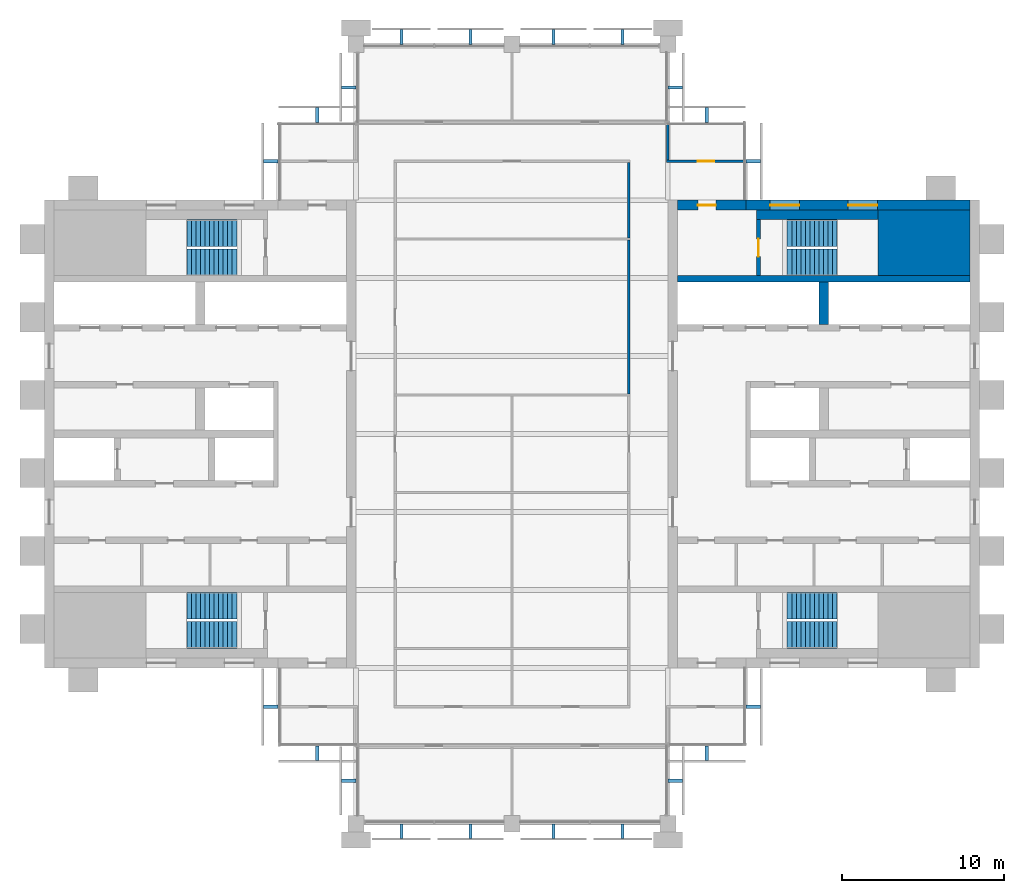
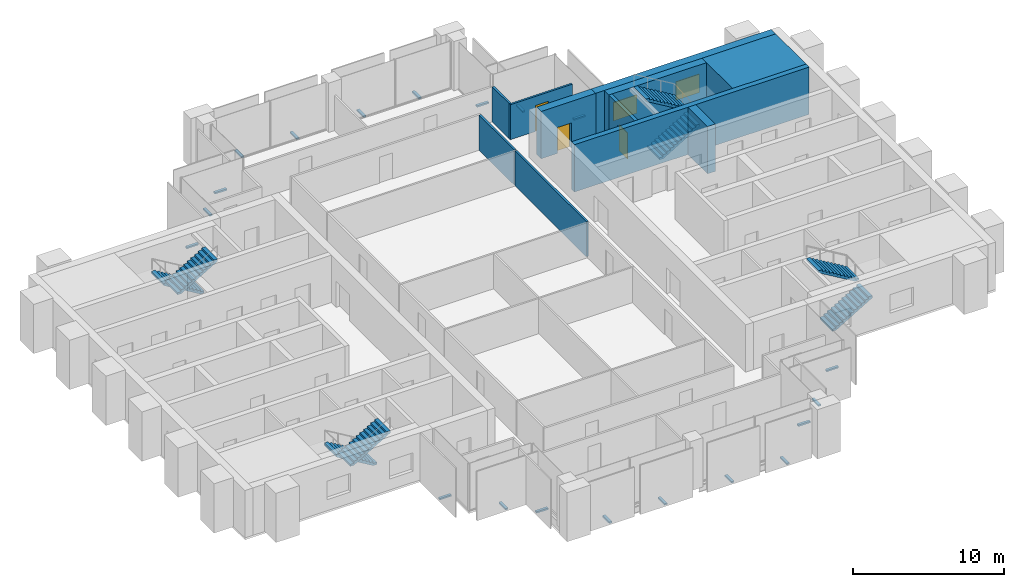
# One storey, part 11 of 12: 20 discrete accessories, 11 walls, 8 stair flights, 3 doors, 2 windows, 5 openings, 4 elements without a shape of their own.
"""IFC4 building model written with IfcOpenShell, lengths in metres."""

from ifc_helpers import new_model, si_unit, direction, frame, frame_2d, origin, origin_2d, place, context, subcontext, project, spatial, polyline, rectangle, outline, extrude, material, layer, layer_set, type_object, element, fill, aggregate, save


model = new_model("IFC4")

# Units and contexts
model_context = context("Model", 3, precision=1e-05, world=origin(), true_north=direction((0.0, 1.0)))
body_context = subcontext(model_context, "Body", "Model", "MODEL_VIEW")
ifc_project = project(units=[si_unit("LENGTHUNIT", "METRE"), si_unit("AREAUNIT", "SQUARE_METRE"), si_unit("VOLUMEUNIT", "CUBIC_METRE"), si_unit("PLANEANGLEUNIT", "RADIAN"), si_unit("MASSUNIT", "GRAM", prefix="KILO")], contexts=[model_context])

# Site, building, storey
site_placement = place(None, origin())
site = spatial("IfcSite", under=ifc_project, at=site_placement, CompositionType="ELEMENT")
building_placement = place(site_placement, origin())
building = spatial("IfcBuilding", under=site, at=building_placement, Name="Baori Bourse Tower", CompositionType="ELEMENT")
storey_placement = place(building_placement, frame((0.0, 0.0, 310.300048828125)))
storey = spatial("IfcBuildingStorey", under=building, at=storey_placement, Name="L68", CompositionType="ELEMENT", Elevation=310.300048828125)

# Wall
ifc_material_1 = material(Name="Concrete f'c 40 MPa", Category="concrete")
wall_type_1 = type_object("IfcWallType", Name="Core corner block f'c 40", PredefinedType="SHEAR", material=ifc_material_1)
wall_1_placement = place(storey_placement, frame((51.35009765625, 35.77490234375, 0.0), z_axis=(0.0, 0.0, 1.0), x_axis=(1.0, 0.0, 0.0)))
element("IfcWall", 1, at=wall_1_placement, inside=storey, type_object=wall_type_1, Name="Core wall E23", PredefinedType="SHEAR", context=body_context, shape_type="SweptSolid", body=[
    extrude(rectangle(XDim=5.64990234375, YDim=4.050048828125, at=frame_2d((2.824951171875, 0.0))), origin(), (0.0, 0.0, 1.0), 3.83984375),
])

# Wall, openings, windows
ifc_material_2 = material(Name="Concrete f'c 40 MPa", Category="concrete")
ifc_layer_1 = layer(ifc_material_2, 0.60009765625)
ifc_layer_set_1 = layer_set([ifc_layer_1], Name="Core wall 600 f'c 40")
wall_type_2 = type_object("IfcWallType", Name="Core wall 600 f'c 40", PredefinedType="SHEAR", material=ifc_layer_set_1)
wall_2_placement = place(storey_placement, frame((43.199951171875, 38.10009765625, 0.0), z_axis=(0.0, 0.0, 1.0), x_axis=(1.0, 0.0, 0.0)))
wall_2 = element("IfcWall", 2, at=wall_2_placement, inside=storey, type_object=wall_type_2, Name="Core wall E26", PredefinedType="SHEAR", context=body_context, shape_type="SweptSolid", body=[
    extrude(rectangle(XDim=13.800048828125, YDim=0.60009765625, at=frame_2d((6.89990234375, 0.0))), origin(), (0.0, 0.0, 1.0), 3.83984375),
])
opening_1_placement = place(wall_2_placement, frame((6.300048828125, 0.0, 0.89990234375)))
opening_1 = element("IfcOpeningElement", 3, at=opening_1_placement, cuts=wall_2, Name="Opening L68-KW205", PredefinedType="OPENING", context=body_context, shape_type="SweptSolid", body=[
    extrude(rectangle(XDim=1.800048828125, YDim=1.5, at=frame_2d((0.89990234375, 0.75))), frame((0.0, 0.31005859375, 0.0), z_axis=(0.0, -1.0, 0.0), x_axis=(1.0, 0.0, 0.0)), (0.0, 0.0, 1.0), 0.6201171875),
])
opening_2_placement = place(wall_2_placement, frame((1.5, 0.0, 0.89990234375)))
opening_2 = element("IfcOpeningElement", 4, at=opening_2_placement, cuts=wall_2, Name="Opening L68-KW206", PredefinedType="OPENING", context=body_context, shape_type="SweptSolid", body=[
    extrude(rectangle(XDim=1.800048828125, YDim=1.5, at=frame_2d((0.89990234375, 0.75))), frame((0.0, 0.31005859375, 0.0), z_axis=(0.0, -1.0, 0.0), x_axis=(1.0, 0.0, 0.0)), (0.0, 0.0, 1.0), 0.6201171875),
])
ifc_material_3 = material(Name="Pale anodised aluminium", Category="aluminium")
window_type = type_object("IfcWindowType", Name="Stair window 1800 x 1500", PartitioningType="SINGLE_PANEL", PredefinedType="WINDOW", material=ifc_material_3)
window_1_placement = place(opening_1_placement, origin())
window_1 = element("IfcWindow", 5, at=window_1_placement, inside=storey, type_object=window_type, Name="Stair window E L68 5", OverallHeight=1.5, OverallWidth=1.800048828125, PartitioningType="SINGLE_PANEL", PredefinedType="WINDOW", context=body_context, shape_type="SweptSolid", body=[
    extrude(rectangle(XDim=1.800048828125, YDim=1.5, at=frame_2d((0.89990234375, 0.75))), frame((0.0, 0.030029296875, 0.0), z_axis=(0.0, -1.0, 0.0), x_axis=(1.0, 0.0, 0.0)), (0.0, 0.0, 1.0), 0.06005859375),
])
fill(opening_1, window_1)
window_2_placement = place(opening_2_placement, origin())
window_2 = element("IfcWindow", 6, at=window_2_placement, inside=storey, type_object=window_type, Name="Stair window E L68 6", OverallHeight=1.5, OverallWidth=1.800048828125, PartitioningType="SINGLE_PANEL", PredefinedType="WINDOW", context=body_context, shape_type="SweptSolid", body=[
    extrude(rectangle(XDim=1.800048828125, YDim=1.5, at=frame_2d((0.89990234375, 0.75))), frame((0.0, 0.030029296875, 0.0), z_axis=(0.0, -1.0, 0.0), x_axis=(1.0, 0.0, 0.0)), (0.0, 0.0, 1.0), 0.06005859375),
])
fill(opening_2, window_2)

# Wall, opening, door
wall_3_placement = place(storey_placement, frame((39.0, 38.10009765625, 0.0), z_axis=(0.0, 0.0, 1.0), x_axis=(1.0, 0.0, 0.0)))
wall_3 = element("IfcWall", 7, at=wall_3_placement, inside=storey, type_object=wall_type_2, Name="Core wall E27", PredefinedType="SHEAR", context=body_context, shape_type="SweptSolid", body=[
    extrude(rectangle(XDim=4.199951171875, YDim=0.60009765625, at=frame_2d((2.10009765625, 0.0))), origin(), (0.0, 0.0, 1.0), 3.83984375),
])
opening_3_placement = place(wall_3_placement, frame((1.25, 0.0, 0.0)))
opening_3 = element("IfcOpeningElement", 8, at=opening_3_placement, cuts=wall_3, Name="Opening L68-D204", PredefinedType="OPENING", context=body_context, shape_type="SweptSolid", body=[
    extrude(rectangle(XDim=1.10009765625, YDim=2.10009765625, at=frame_2d((0.550048828125, 1.050048828125))), frame((0.0, 0.31005859375, 0.0), z_axis=(0.0, -1.0, 0.0), x_axis=(1.0, 0.0, 0.0)), (0.0, 0.0, 1.0), 0.6201171875),
])
ifc_material_4 = material(Name="Painted steel door", Category="steel")
door_type_1 = type_object("IfcDoorType", Name="Stair door 1100", OperationType="SINGLE_SWING_LEFT", PredefinedType="DOOR", material=ifc_material_4)
door_1_placement = place(opening_3_placement, origin())
door_1 = element("IfcDoor", 9, at=door_1_placement, inside=storey, type_object=door_type_1, Name="Stair vestibule door B E L68", OperationType="SINGLE_SWING_LEFT", OverallHeight=2.10009765625, OverallWidth=1.10009765625, PredefinedType="DOOR", context=body_context, shape_type="SweptSolid", body=[
    extrude(rectangle(XDim=1.10009765625, YDim=2.10009765625, at=frame_2d((0.550048828125, 1.050048828125))), frame((0.0, 0.02490234375, 0.0), z_axis=(0.0, -1.0, 0.0), x_axis=(1.0, 0.0, 0.0)), (0.0, 0.0, 1.0), 0.050048828125),
])
fill(opening_3, door_1)

ifc_material_5 = material(Name="Gypsum board partition")
ifc_layer_2 = layer(ifc_material_5, 0.14990234375)
ifc_layer_set_2 = layer_set([ifc_layer_2], Name="Corridor partition 150")
wall_type_3 = type_object("IfcWallType", Name="Corridor partition 150", PredefinedType="PARTITIONING", material=ifc_layer_set_2)
wall_4_placement = place(storey_placement, frame((38.324951171875, 40.800048828125, 0.0), z_axis=(0.0, 0.0, 1.0), x_axis=(1.0, 0.0, 0.0)))
wall_4 = element("IfcWall", 10, at=wall_4_placement, inside=storey, type_object=wall_type_3, Name="Partition", PredefinedType="PARTITIONING", context=body_context, shape_type="SweptSolid", body=[
    extrude(rectangle(XDim=4.775146484375, YDim=0.14990234375, at=frame_2d((2.3876953125, 0.0))), origin(), (0.0, 0.0, 1.0), 2.849365234375),
])
opening_4_placement = place(wall_4_placement, frame((1.925048828125, 0.0, 0.0)))
opening_4 = element("IfcOpeningElement", 11, at=opening_4_placement, cuts=wall_4, Name="Opening L68-D09", PredefinedType="OPENING", context=body_context, shape_type="SweptSolid", body=[
    extrude(rectangle(XDim=1.0, YDim=2.10009765625, at=frame_2d((0.5, 1.050048828125))), frame((0.0, 0.0849609375, 0.0), z_axis=(0.0, -1.0, 0.0), x_axis=(1.0, 0.0, 0.0)), (0.0, 0.0, 1.0), 0.169921875),
])
ifc_material_6 = material(Name="Timber door leaf", Category="wood")
door_type_2 = type_object("IfcDoorType", Name="Door 1000 x 2100", OperationType="SINGLE_SWING_LEFT", PredefinedType="DOOR", material=ifc_material_6)
door_2_placement = place(opening_4_placement, origin())
door_2 = element("IfcDoor", 12, at=door_2_placement, inside=storey, type_object=door_type_2, Name="Door", OperationType="SINGLE_SWING_LEFT", OverallHeight=2.10009765625, OverallWidth=1.0, PredefinedType="DOOR", context=body_context, shape_type="SweptSolid", body=[
    extrude(rectangle(XDim=1.0, YDim=2.10009765625, at=frame_2d((0.5, 1.050048828125))), frame((0.0, 0.02490234375, 0.0), z_axis=(0.0, -1.0, 0.0), x_axis=(1.0, 0.0, 0.0)), (0.0, 0.0, 1.0), 0.050048828125),
])
fill(opening_4, door_2)

# Walls
wall_5_placement = place(storey_placement, frame((36.0, 26.46240234375, 0.0), z_axis=(0.0, 0.0, 1.0), x_axis=(0.0, 1.0, 0.0)))
element("IfcWall", 13, at=wall_5_placement, inside=storey, type_object=wall_type_3, Name="Partition", PredefinedType="PARTITIONING", context=body_context, shape_type="SweptSolid", body=[
    extrude(rectangle(XDim=9.47509765625, YDim=0.14990234375, at=frame_2d((4.737548828125, 0.0))), origin(), (0.0, 0.0, 1.0), 2.849365234375),
])
wall_6_placement = place(storey_placement, frame((36.0, 36.0625, 0.0), z_axis=(0.0, 0.0, 1.0), x_axis=(0.0, 1.0, 0.0)))
element("IfcWall", 14, at=wall_6_placement, inside=storey, type_object=wall_type_3, Name="Partition", PredefinedType="PARTITIONING", context=body_context, shape_type="SweptSolid", body=[
    extrude(rectangle(XDim=4.66259765625, YDim=0.14990234375, at=frame_2d((2.331298828125, 0.0))), origin(), (0.0, 0.0, 1.0), 2.849365234375),
])
wall_7_placement = place(storey_placement, frame((38.39990234375, 40.875, 0.0), z_axis=(0.0, 0.0, 1.0), x_axis=(0.0, 1.0, 0.0)))
element("IfcWall", 15, at=wall_7_placement, inside=storey, type_object=wall_type_3, Name="Partition", PredefinedType="PARTITIONING", context=body_context, shape_type="SweptSolid", body=[
    extrude(rectangle(XDim=2.25, YDim=0.14990234375, at=frame_2d((1.125, 0.0))), origin(), (0.0, 0.0, 1.0), 2.849365234375),
])

# Wall, opening, door
ifc_material_7 = material(Name="Concrete f'c 40 MPa", Category="concrete")
ifc_layer_3 = layer(ifc_material_7, 0.25)
ifc_layer_set_3 = layer_set([ifc_layer_3], Name="Shaft wall 250 f'c 40")
wall_type_4 = type_object("IfcWallType", Name="Shaft wall 250 f'c 40", PredefinedType="SHEAR", material=ifc_layer_set_3)
wall_8_placement = place(storey_placement, frame((43.97509765625, 33.75, 0.0), z_axis=(0.0, 0.0, 1.0), x_axis=(0.0, 1.0, 0.0)))
wall_8 = element("IfcWall", 16, at=wall_8_placement, inside=storey, type_object=wall_type_4, Name="Core wall E24", PredefinedType="SHEAR", context=body_context, shape_type="SweptSolid", body=[
    extrude(rectangle(XDim=3.449951171875, YDim=0.25, at=frame_2d((1.72509765625, 0.0))), origin(), (0.0, 0.0, 1.0), 3.83984375),
])
opening_5_placement = place(wall_8_placement, frame((1.175048828125, 0.0, 0.0)))
opening_5 = element("IfcOpeningElement", 17, at=opening_5_placement, cuts=wall_8, Name="Opening L68-D203", PredefinedType="OPENING", context=body_context, shape_type="SweptSolid", body=[
    extrude(rectangle(XDim=1.10009765625, YDim=2.10009765625, at=frame_2d((0.550048828125, 1.050048828125))), frame((0.0, 0.135009765625, 0.0), z_axis=(0.0, -1.0, 0.0), x_axis=(1.0, 0.0, 0.0)), (0.0, 0.0, 1.0), 0.27001953125),
])
door_3_placement = place(opening_5_placement, origin())
door_3 = element("IfcDoor", 18, at=door_3_placement, inside=storey, type_object=door_type_1, Name="Stair door B E L68", OperationType="SINGLE_SWING_LEFT", OverallHeight=2.10009765625, OverallWidth=1.10009765625, PredefinedType="DOOR", context=body_context, shape_type="SweptSolid", body=[
    extrude(rectangle(XDim=1.10009765625, YDim=2.10009765625, at=frame_2d((0.550048828125, 1.050048828125))), frame((0.0, 0.02490234375, 0.0), z_axis=(0.0, -1.0, 0.0), x_axis=(1.0, 0.0, 0.0)), (0.0, 0.0, 1.0), 0.050048828125),
])
fill(opening_5, door_3)

# Walls
ifc_material_8 = material(Name="Concrete f'c 40 MPa", Category="concrete")
ifc_layer_4 = layer(ifc_material_8, 0.39990234375)
ifc_layer_set_4 = layer_set([ifc_layer_4], Name="Shaft wall 400 f'c 40")
wall_type_5 = type_object("IfcWallType", Name="Shaft wall 400 f'c 40", PredefinedType="SHEAR", material=ifc_layer_set_4)
wall_9_placement = place(storey_placement, frame((39.0, 33.550048828125, 0.0), z_axis=(0.0, 0.0, 1.0), x_axis=(1.0, 0.0, 0.0)))
element("IfcWall", 19, at=wall_9_placement, inside=storey, type_object=wall_type_5, Name="Core wall E22", PredefinedType="SHEAR", context=body_context, shape_type="SweptSolid", body=[
    extrude(rectangle(XDim=18.0, YDim=0.39990234375, at=frame_2d((9.0, 0.0))), origin(), (0.0, 0.0, 1.0), 3.83984375),
])
ifc_material_9 = material(Name="Concrete f'c 40 MPa", Category="concrete")
ifc_layer_5 = layer(ifc_material_9, 0.60009765625)
ifc_layer_set_5 = layer_set([ifc_layer_5], Name="Shaft wall 600 f'c 40")
wall_type_6 = type_object("IfcWallType", Name="Shaft wall 600 f'c 40", PredefinedType="SHEAR", material=ifc_layer_set_5)
wall_10_placement = place(storey_placement, frame((48.0, 30.75, 0.0), z_axis=(0.0, 0.0, 1.0), x_axis=(0.0, 1.0, 0.0)))
element("IfcWall", 20, at=wall_10_placement, inside=storey, type_object=wall_type_6, Name="Core wall E21", PredefinedType="SHEAR", context=body_context, shape_type="SweptSolid", body=[
    extrude(rectangle(XDim=2.60009765625, YDim=0.60009765625, at=frame_2d((1.300048828125, 0.0))), origin(), (0.0, 0.0, 1.0), 3.83984375),
])
wall_11_placement = place(storey_placement, frame((43.85009765625, 37.5, 0.0), z_axis=(0.0, 0.0, 1.0), x_axis=(1.0, 0.0, 0.0)))
element("IfcWall", 21, at=wall_11_placement, inside=storey, type_object=wall_type_6, Name="Core wall E25", PredefinedType="SHEAR", context=body_context, shape_type="SweptSolid", body=[
    extrude(rectangle(XDim=7.5, YDim=0.60009765625, at=frame_2d((3.75, 0.0))), origin(), (0.0, 0.0, 1.0), 3.83984375),
])

# Stair, stair flights
ifc_material_10 = material(Name="Concrete f'c 50 MPa", Category="concrete")
stair_type = type_object("IfcStairType", Name="Core stair", PredefinedType="HALF_TURN_STAIR", material=ifc_material_10)
stair_1_placement = place(storey_placement, origin())
stair_1 = element("IfcStair", 22, at=stair_1_placement, inside=storey, type_object=stair_type, Name="L68 Stair WA", PredefinedType="HALF_TURN_STAIR")
ifc_material_11 = material(Name="Concrete f'c 50 MPa", Category="concrete")
stair_flight_type = type_object("IfcStairFlightType", Name="Core stair flight", PredefinedType="STRAIGHT", material=ifc_material_11)
stair_flight_1_placement = place(storey_placement, frame((11.85009765625, 13.425048828125, 0.0), z_axis=(0.0, 0.0, 1.0), x_axis=(-1.0, 0.0, 0.0)))
stair_flight_1 = element("IfcStairFlight", 23, at=stair_flight_1_placement, type_object=stair_flight_type, Name="ST1 flight 1", NumberOfRisers=12, NumberOfTreads=11, PredefinedType="STRAIGHT", RiserHeight=0.166666667, TreadLength=0.28, context=body_context, shape_type="SweptSolid", body=[
    extrude(outline(polyline([(0.0, 0.0), (0.0, 0.166748046875), (0.280029296875, 0.166748046875), (0.280029296875, 0.333251953125), (0.56005859375, 0.333251953125), (0.56005859375, 0.5), (0.840087890625, 0.5), (0.840087890625, 0.666748046875), (1.1201171875, 0.666748046875), (1.1201171875, 0.833251953125), (1.39990234375, 0.833251953125), (1.39990234375, 1.0), (1.679931640625, 1.0), (1.679931640625, 1.166748046875), (1.9599609375, 1.166748046875), (1.9599609375, 1.333251953125), (2.239990234375, 1.333251953125), (2.239990234375, 1.5), (2.52001953125, 1.5), (2.52001953125, 1.666748046875), (2.800048828125, 1.666748046875), (2.800048828125, 1.833251953125), (3.080078125, 1.833251953125), (3.080078125, 2.0), (3.080078125, 1.658935546875), (0.29296875, 0.0), (0.0, 0.0)])), frame((0.0, 0.824951171875, 0.0), z_axis=(0.0, -1.0, 0.0), x_axis=(1.0, 0.0, 0.0)), (0.0, 0.0, 1.0), 1.64990234375),
])
stair_flight_2_placement = place(storey_placement, frame((8.77001953125, 11.625, 2.0), z_axis=(0.0, 0.0, 1.0), x_axis=(1.0, 0.0, 0.0)))
stair_flight_2 = element("IfcStairFlight", 24, at=stair_flight_2_placement, type_object=stair_flight_type, Name="ST1 flight 2", NumberOfRisers=12, NumberOfTreads=11, PredefinedType="STRAIGHT", RiserHeight=0.166666667, TreadLength=0.28, context=body_context, shape_type="SweptSolid", body=[
    extrude(outline(polyline([(0.0, 0.0), (0.0, 0.166748046875), (0.280029296875, 0.166748046875), (0.280029296875, 0.333251953125), (0.56005859375, 0.333251953125), (0.56005859375, 0.5), (0.840087890625, 0.5), (0.840087890625, 0.666748046875), (1.1201171875, 0.666748046875), (1.1201171875, 0.833251953125), (1.39990234375, 0.833251953125), (1.39990234375, 1.0), (1.679931640625, 1.0), (1.679931640625, 1.166748046875), (1.9599609375, 1.166748046875), (1.9599609375, 1.333251953125), (2.239990234375, 1.333251953125), (2.239990234375, 1.5), (2.52001953125, 1.5), (2.52001953125, 1.666748046875), (2.800048828125, 1.666748046875), (2.800048828125, 1.833251953125), (3.080078125, 1.833251953125), (3.080078125, 2.0), (3.080078125, 1.658935546875), (0.29296875, 0.0), (0.0, 0.0)])), frame((0.0, 0.824951171875, 0.0), z_axis=(0.0, -1.0, 0.0), x_axis=(1.0, 0.0, 0.0)), (0.0, 0.0, 1.0), 1.64990234375),
])
aggregate(stair_1, [stair_flight_1, stair_flight_2])

stair_2_placement = place(storey_placement, origin())
stair_2 = element("IfcStair", 25, at=stair_2_placement, inside=storey, type_object=stair_type, Name="L68 Stair WB", PredefinedType="HALF_TURN_STAIR")
stair_flight_3_placement = place(storey_placement, frame((11.85009765625, 36.375, 0.0), z_axis=(0.0, 0.0, 1.0), x_axis=(-1.0, 0.0, 0.0)))
stair_flight_3 = element("IfcStairFlight", 26, at=stair_flight_3_placement, type_object=stair_flight_type, Name="ST2 flight 1", NumberOfRisers=12, NumberOfTreads=11, PredefinedType="STRAIGHT", RiserHeight=0.166666667, TreadLength=0.28, context=body_context, shape_type="SweptSolid", body=[
    extrude(outline(polyline([(0.0, 0.0), (0.0, 0.166748046875), (0.280029296875, 0.166748046875), (0.280029296875, 0.333251953125), (0.56005859375, 0.333251953125), (0.56005859375, 0.5), (0.840087890625, 0.5), (0.840087890625, 0.666748046875), (1.1201171875, 0.666748046875), (1.1201171875, 0.833251953125), (1.39990234375, 0.833251953125), (1.39990234375, 1.0), (1.679931640625, 1.0), (1.679931640625, 1.166748046875), (1.9599609375, 1.166748046875), (1.9599609375, 1.333251953125), (2.239990234375, 1.333251953125), (2.239990234375, 1.5), (2.52001953125, 1.5), (2.52001953125, 1.666748046875), (2.800048828125, 1.666748046875), (2.800048828125, 1.833251953125), (3.080078125, 1.833251953125), (3.080078125, 2.0), (3.080078125, 1.658935546875), (0.29296875, 0.0), (0.0, 0.0)])), frame((0.0, 0.824951171875, 0.0), z_axis=(0.0, -1.0, 0.0), x_axis=(1.0, 0.0, 0.0)), (0.0, 0.0, 1.0), 1.64990234375),
])
stair_flight_4_placement = place(storey_placement, frame((8.77001953125, 34.574951171875, 2.0), z_axis=(0.0, 0.0, 1.0), x_axis=(1.0, 0.0, 0.0)))
stair_flight_4 = element("IfcStairFlight", 27, at=stair_flight_4_placement, type_object=stair_flight_type, Name="ST2 flight 2", NumberOfRisers=12, NumberOfTreads=11, PredefinedType="STRAIGHT", RiserHeight=0.166666667, TreadLength=0.28, context=body_context, shape_type="SweptSolid", body=[
    extrude(outline(polyline([(0.0, 0.0), (0.0, 0.166748046875), (0.280029296875, 0.166748046875), (0.280029296875, 0.333251953125), (0.56005859375, 0.333251953125), (0.56005859375, 0.5), (0.840087890625, 0.5), (0.840087890625, 0.666748046875), (1.1201171875, 0.666748046875), (1.1201171875, 0.833251953125), (1.39990234375, 0.833251953125), (1.39990234375, 1.0), (1.679931640625, 1.0), (1.679931640625, 1.166748046875), (1.9599609375, 1.166748046875), (1.9599609375, 1.333251953125), (2.239990234375, 1.333251953125), (2.239990234375, 1.5), (2.52001953125, 1.5), (2.52001953125, 1.666748046875), (2.800048828125, 1.666748046875), (2.800048828125, 1.833251953125), (3.080078125, 1.833251953125), (3.080078125, 2.0), (3.080078125, 1.658935546875), (0.29296875, 0.0), (0.0, 0.0)])), frame((0.0, 0.824951171875, 0.0), z_axis=(0.0, -1.0, 0.0), x_axis=(1.0, 0.0, 0.0)), (0.0, 0.0, 1.0), 1.64990234375),
])
aggregate(stair_2, [stair_flight_3, stair_flight_4])

stair_3_placement = place(storey_placement, origin())
stair_3 = element("IfcStair", 28, at=stair_3_placement, inside=storey, type_object=stair_type, Name="L68 Stair EA", PredefinedType="HALF_TURN_STAIR")
stair_flight_5_placement = place(storey_placement, frame((45.75, 11.625, 0.0), z_axis=(0.0, 0.0, 1.0), x_axis=(1.0, 0.0, 0.0)))
stair_flight_5 = element("IfcStairFlight", 29, at=stair_flight_5_placement, type_object=stair_flight_type, Name="ST3 flight 1", NumberOfRisers=12, NumberOfTreads=11, PredefinedType="STRAIGHT", RiserHeight=0.166666667, TreadLength=0.28, context=body_context, shape_type="SweptSolid", body=[
    extrude(outline(polyline([(0.0, 0.0), (0.0, 0.166748046875), (0.280029296875, 0.166748046875), (0.280029296875, 0.333251953125), (0.56005859375, 0.333251953125), (0.56005859375, 0.5), (0.840087890625, 0.5), (0.840087890625, 0.666748046875), (1.1201171875, 0.666748046875), (1.1201171875, 0.833251953125), (1.39990234375, 0.833251953125), (1.39990234375, 1.0), (1.679931640625, 1.0), (1.679931640625, 1.166748046875), (1.9599609375, 1.166748046875), (1.9599609375, 1.333251953125), (2.239990234375, 1.333251953125), (2.239990234375, 1.5), (2.52001953125, 1.5), (2.52001953125, 1.666748046875), (2.800048828125, 1.666748046875), (2.800048828125, 1.833251953125), (3.080078125, 1.833251953125), (3.080078125, 2.0), (3.080078125, 1.658935546875), (0.29296875, 0.0), (0.0, 0.0)])), frame((0.0, 0.824951171875, 0.0), z_axis=(0.0, -1.0, 0.0), x_axis=(1.0, 0.0, 0.0)), (0.0, 0.0, 1.0), 1.64990234375),
])
stair_flight_6_placement = place(storey_placement, frame((48.830078125, 13.425048828125, 2.0), z_axis=(0.0, 0.0, 1.0), x_axis=(-1.0, 0.0, 0.0)))
stair_flight_6 = element("IfcStairFlight", 30, at=stair_flight_6_placement, type_object=stair_flight_type, Name="ST3 flight 2", NumberOfRisers=12, NumberOfTreads=11, PredefinedType="STRAIGHT", RiserHeight=0.166666667, TreadLength=0.28, context=body_context, shape_type="SweptSolid", body=[
    extrude(outline(polyline([(0.0, 0.0), (0.0, 0.166748046875), (0.280029296875, 0.166748046875), (0.280029296875, 0.333251953125), (0.56005859375, 0.333251953125), (0.56005859375, 0.5), (0.840087890625, 0.5), (0.840087890625, 0.666748046875), (1.1201171875, 0.666748046875), (1.1201171875, 0.833251953125), (1.39990234375, 0.833251953125), (1.39990234375, 1.0), (1.679931640625, 1.0), (1.679931640625, 1.166748046875), (1.9599609375, 1.166748046875), (1.9599609375, 1.333251953125), (2.239990234375, 1.333251953125), (2.239990234375, 1.5), (2.52001953125, 1.5), (2.52001953125, 1.666748046875), (2.800048828125, 1.666748046875), (2.800048828125, 1.833251953125), (3.080078125, 1.833251953125), (3.080078125, 2.0), (3.080078125, 1.658935546875), (0.29296875, 0.0), (0.0, 0.0)])), frame((0.0, 0.824951171875, 0.0), z_axis=(0.0, -1.0, 0.0), x_axis=(1.0, 0.0, 0.0)), (0.0, 0.0, 1.0), 1.64990234375),
])
aggregate(stair_3, [stair_flight_5, stair_flight_6])

stair_4_placement = place(storey_placement, origin())
stair_4 = element("IfcStair", 31, at=stair_4_placement, inside=storey, type_object=stair_type, Name="L68 Stair EB", PredefinedType="HALF_TURN_STAIR")
stair_flight_7_placement = place(storey_placement, frame((45.75, 34.574951171875, 0.0), z_axis=(0.0, 0.0, 1.0), x_axis=(1.0, 0.0, 0.0)))
stair_flight_7 = element("IfcStairFlight", 32, at=stair_flight_7_placement, type_object=stair_flight_type, Name="ST4 flight 1", NumberOfRisers=12, NumberOfTreads=11, PredefinedType="STRAIGHT", RiserHeight=0.166666667, TreadLength=0.28, context=body_context, shape_type="SweptSolid", body=[
    extrude(outline(polyline([(0.0, 0.0), (0.0, 0.166748046875), (0.280029296875, 0.166748046875), (0.280029296875, 0.333251953125), (0.56005859375, 0.333251953125), (0.56005859375, 0.5), (0.840087890625, 0.5), (0.840087890625, 0.666748046875), (1.1201171875, 0.666748046875), (1.1201171875, 0.833251953125), (1.39990234375, 0.833251953125), (1.39990234375, 1.0), (1.679931640625, 1.0), (1.679931640625, 1.166748046875), (1.9599609375, 1.166748046875), (1.9599609375, 1.333251953125), (2.239990234375, 1.333251953125), (2.239990234375, 1.5), (2.52001953125, 1.5), (2.52001953125, 1.666748046875), (2.800048828125, 1.666748046875), (2.800048828125, 1.833251953125), (3.080078125, 1.833251953125), (3.080078125, 2.0), (3.080078125, 1.658935546875), (0.29296875, 0.0), (0.0, 0.0)])), frame((0.0, 0.824951171875, 0.0), z_axis=(0.0, -1.0, 0.0), x_axis=(1.0, 0.0, 0.0)), (0.0, 0.0, 1.0), 1.64990234375),
])
stair_flight_8_placement = place(storey_placement, frame((48.830078125, 36.375, 2.0), z_axis=(0.0, 0.0, 1.0), x_axis=(-1.0, 0.0, 0.0)))
stair_flight_8 = element("IfcStairFlight", 33, at=stair_flight_8_placement, type_object=stair_flight_type, Name="ST4 flight 2", NumberOfRisers=12, NumberOfTreads=11, PredefinedType="STRAIGHT", RiserHeight=0.166666667, TreadLength=0.28, context=body_context, shape_type="SweptSolid", body=[
    extrude(outline(polyline([(0.0, 0.0), (0.0, 0.166748046875), (0.280029296875, 0.166748046875), (0.280029296875, 0.333251953125), (0.56005859375, 0.333251953125), (0.56005859375, 0.5), (0.840087890625, 0.5), (0.840087890625, 0.666748046875), (1.1201171875, 0.666748046875), (1.1201171875, 0.833251953125), (1.39990234375, 0.833251953125), (1.39990234375, 1.0), (1.679931640625, 1.0), (1.679931640625, 1.166748046875), (1.9599609375, 1.166748046875), (1.9599609375, 1.333251953125), (2.239990234375, 1.333251953125), (2.239990234375, 1.5), (2.52001953125, 1.5), (2.52001953125, 1.666748046875), (2.800048828125, 1.666748046875), (2.800048828125, 1.833251953125), (3.080078125, 1.833251953125), (3.080078125, 2.0), (3.080078125, 1.658935546875), (0.29296875, 0.0), (0.0, 0.0)])), frame((0.0, 0.824951171875, 0.0), z_axis=(0.0, -1.0, 0.0), x_axis=(1.0, 0.0, 0.0)), (0.0, 0.0, 1.0), 1.64990234375),
])
aggregate(stair_4, [stair_flight_7, stair_flight_8])

# Discrete accessories
ifc_material_12 = material(Name="Pale anodised aluminium", Category="aluminium")
discrete_accessory_type = type_object("IfcDiscreteAccessoryType", Name="OS2 Outer skin bracket", PredefinedType="BRACKET", material=ifc_material_12)
for number, where, z_axis, x_axis, name in (
    (34, (43.64990234375, 40.800048828125, -0.14404296875), (0.0, 0.0, 1.0), (0.0, 1.0, 0.0), "Outer skin bracket L68 1"),
    (35, (40.800048828125, 43.64990234375, -0.14404296875), (0.0, 0.0, 1.0), (-1.0, 0.0, 0.0), "Outer skin bracket L68 2"),
    (36, (38.85009765625, 45.35009765625, -0.14404296875), (0.0, 0.0, 1.0), (0.0, 1.0, 0.0), "Outer skin bracket L68 3"),
    (37, (35.612548828125, 48.449951171875, -0.14404296875), (0.0, 0.0, 1.0), (-1.0, 0.0, 0.0), "Outer skin bracket L68 4"),
    (38, (31.362548828125, 48.449951171875, -0.14404296875), (0.0, 0.0, 1.0), (-1.0, 0.0, 0.0), "Outer skin bracket L68 5"),
    (39, (26.237548828125, 48.449951171875, -0.14404296875), (0.0, 0.0, 1.0), (-1.0, 0.0, 0.0), "Outer skin bracket L68 6"),
    (40, (21.987548828125, 48.449951171875, -0.14404296875), (0.0, 0.0, 1.0), (-1.0, 0.0, 0.0), "Outer skin bracket L68 7"),
    (41, (18.75, 45.35009765625, -0.14404296875), (0.0, 0.0, 1.0), (0.0, -1.0, 0.0), "Outer skin bracket L68 8"),
    (42, (16.800048828125, 43.64990234375, -0.14404296875), (0.0, 0.0, 1.0), (-1.0, 0.0, 0.0), "Outer skin bracket L68 9"),
    (43, (13.949951171875, 40.800048828125, -0.14404296875), (0.0, 0.0, 1.0), (0.0, -1.0, 0.0), "Outer skin bracket L68 10"),
    (44, (13.949951171875, 7.199951171875, -0.14404296875), (0.0, 0.0, 1.0), (0.0, -1.0, 0.0), "Outer skin bracket L68 11"),
    (45, (16.800048828125, 4.35009765625, -0.14404296875), (0.0, 0.0, 1.0), (1.0, 0.0, 0.0), "Outer skin bracket L68 12"),
    (46, (18.75, 2.64990234375, -0.14404296875), (0.0, 0.0, 1.0), (0.0, -1.0, 0.0), "Outer skin bracket L68 13"),
    (47, (21.987548828125, -0.449951171875, -0.14404296875), (0.0, 0.0, 1.0), (1.0, 0.0, 0.0), "Outer skin bracket L68 14"),
    (48, (26.237548828125, -0.449951171875, -0.14404296875), (0.0, 0.0, 1.0), (1.0, 0.0, 0.0), "Outer skin bracket L68 15"),
    (49, (31.362548828125, -0.449951171875, -0.14404296875), (0.0, 0.0, 1.0), (1.0, 0.0, 0.0), "Outer skin bracket L68 16"),
    (50, (35.612548828125, -0.449951171875, -0.14404296875), (0.0, 0.0, 1.0), (1.0, 0.0, 0.0), "Outer skin bracket L68 17"),
    (51, (38.85009765625, 2.64990234375, -0.14404296875), (0.0, 0.0, 1.0), (0.0, 1.0, 0.0), "Outer skin bracket L68 18"),
    (52, (40.800048828125, 4.35009765625, -0.14404296875), (0.0, 0.0, 1.0), (1.0, 0.0, 0.0), "Outer skin bracket L68 19"),
    (53, (43.64990234375, 7.199951171875, -0.14404296875), (0.0, 0.0, 1.0), (0.0, 1.0, 0.0), "Outer skin bracket L68 20"),
):
    element("IfcDiscreteAccessory", number, at=place(storey_placement, frame(where, z_axis=z_axis, x_axis=x_axis)), inside=storey, type_object=discrete_accessory_type, Name=name, PredefinedType="BRACKET", context=body_context, shape_type="SweptSolid", body=[
        extrude(rectangle(XDim=0.199951171875, YDim=0.89990234375, at=origin_2d()), origin(), (0.0, 0.0, 1.0), 0.1279296875),
    ])

save(model, "model.ifc")
